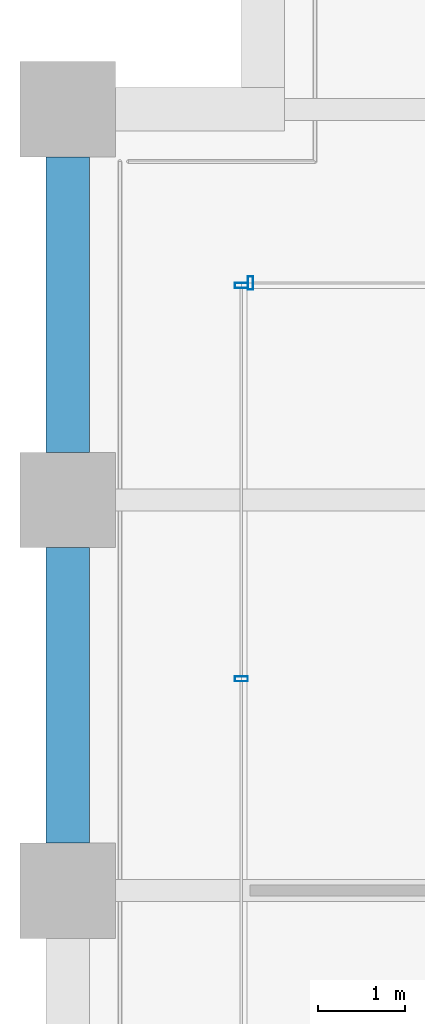
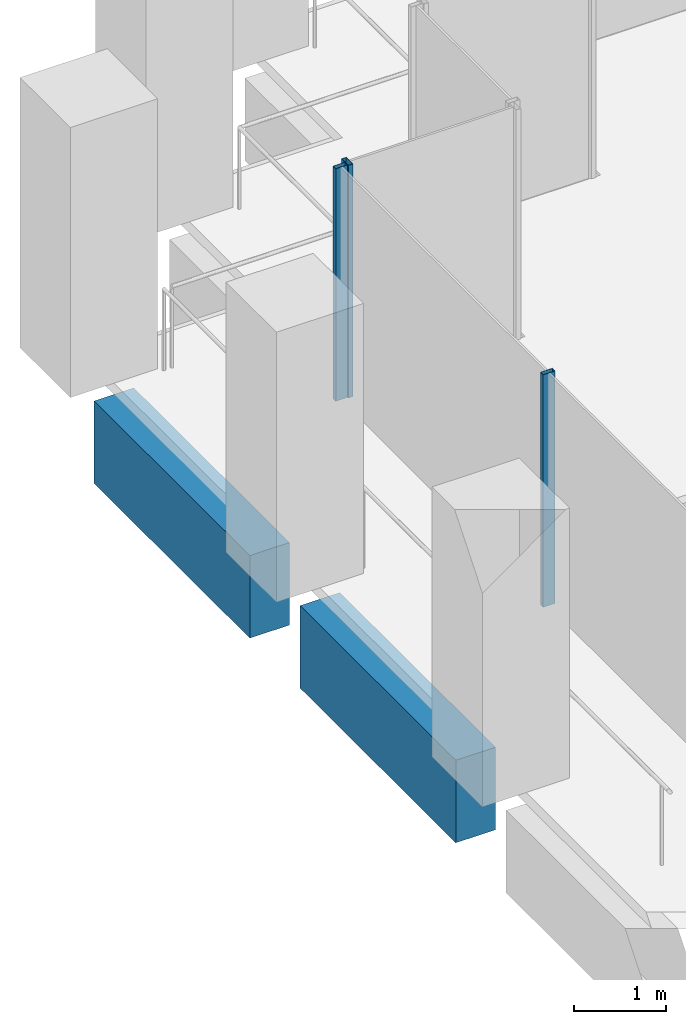
# One storey, part 23 of 56: 3 members, 2 beams, 2 elements without a shape of their own.
"""IFC4 building model written with IfcOpenShell, lengths in metres."""

from ifc_helpers import new_model, si_unit, direction, frame, origin, origin_2d, place, context, subcontext, project, spatial, rectangle, hollow_rectangle, extrude, material, material_profile, profile_set, type_object, element, aggregate, save


model = new_model("IFC4")

# Units and contexts
model_context = context("Model", 3, precision=1e-05, world=origin(), true_north=direction((0.0, 1.0)))
body_context = subcontext(model_context, "Body", "Model", "MODEL_VIEW")
ifc_project = project(units=[si_unit("LENGTHUNIT", "METRE"), si_unit("AREAUNIT", "SQUARE_METRE"), si_unit("VOLUMEUNIT", "CUBIC_METRE"), si_unit("PLANEANGLEUNIT", "RADIAN"), si_unit("MASSUNIT", "GRAM", prefix="KILO")], contexts=[model_context])

# Site, building, storey
site_placement = place(None, origin())
site = spatial("IfcSite", under=ifc_project, at=site_placement, CompositionType="ELEMENT")
building_placement = place(site_placement, origin())
building = spatial("IfcBuilding", under=site, at=building_placement, Name="Altepetl Exchange Towers", CompositionType="ELEMENT")
storey_placement = place(building_placement, frame((0.0, 0.0, 54.60009765625)))
storey = spatial("IfcBuildingStorey", under=building, at=storey_placement, Name="L12", CompositionType="ELEMENT", Elevation=54.60009765625)

# Curtain wall, member
ifc_material_1 = material(Name="Aluminium 6063-T6 glazing", Category="aluminium")
curtain_wall_type = type_object("IfcCurtainWallType", Name="Loggia glazing system", PredefinedType="NOTDEFINED", material=ifc_material_1)
curtain_wall_1_placement = place(storey_placement, origin())
curtain_wall_1 = element("IfcCurtainWall", 1, at=curtain_wall_1_placement, inside=storey, type_object=curtain_wall_type, Name="CW1 run", PredefinedType="NOTDEFINED")
ifc_material_2 = material(Name="Aluminium 6063-T6", Category="aluminium")
ifc_material_profile_1 = material_profile(ifc_material_2, hollow_rectangle(XDim=0.06005859375, YDim=0.14990234375, WallThickness=0.0029296875, at=origin_2d()), Name="Mullion 60x150 aluminium")
ifc_profile_set_1 = profile_set([ifc_material_profile_1], Name="Aluminium 6063-T6")
member_type = type_object("IfcMemberType", Name="Mullion 60x150 aluminium", PredefinedType="MULLION", material=ifc_profile_set_1)
member_1_placement = place(storey_placement, frame((29.10498046875, 65.5, 0.0), z_axis=(0.0, 0.0, 1.0), x_axis=(-1.0, 0.0, 0.0)))
member_1 = element("IfcMember", 2, at=member_1_placement, type_object=member_type, Name="MU1 mullion", PredefinedType="MULLION", context=body_context, shape_type="SweptSolid", body=[
    extrude(hollow_rectangle(XDim=0.06005859375, YDim=0.14990234375, WallThickness=0.0029296875, at=origin_2d()), origin(), (0.0, 0.0, 1.0), 3.099853515625),
])
aggregate(curtain_wall_1, [member_1])

# Curtain wall, members
curtain_wall_2_placement = place(storey_placement, origin())
curtain_wall_2 = element("IfcCurtainWall", 3, at=curtain_wall_2_placement, inside=storey, type_object=curtain_wall_type, Name="CW1 run", PredefinedType="NOTDEFINED")
member_2_placement = place(storey_placement, frame((29.0, 65.469970703125, 0.0), z_axis=(0.0, 0.0, 1.0), x_axis=(0.0, -1.0, 0.0)))
member_2 = element("IfcMember", 4, at=member_2_placement, type_object=member_type, Name="MU1 mullion", PredefinedType="MULLION", context=body_context, shape_type="SweptSolid", body=[
    extrude(hollow_rectangle(XDim=0.06005859375, YDim=0.14990234375, WallThickness=0.0029296875, at=origin_2d()), origin(), (0.0, 0.0, 1.0), 3.099853515625),
])
member_3_placement = place(storey_placement, frame((29.0, 60.939208984375, 0.0), z_axis=(0.0, 0.0, 1.0), x_axis=(0.0, -1.0, 0.0)))
member_3 = element("IfcMember", 5, at=member_3_placement, type_object=member_type, Name="MU1 mullion", PredefinedType="MULLION", context=body_context, shape_type="SweptSolid", body=[
    extrude(hollow_rectangle(XDim=0.06005859375, YDim=0.14990234375, WallThickness=0.0029296875, at=origin_2d()), origin(), (0.0, 0.0, 1.0), 3.099853515625),
])
aggregate(curtain_wall_2, [member_2, member_3])

# Beams
ifc_material_3 = material(Name="Concrete C50/60 precast with tezontle facing", Category="concrete")
ifc_material_profile_2 = material_profile(ifc_material_3, rectangle(XDim=0.5, YDim=1.10009765625, at=origin_2d()), Name="500 x 1100")
ifc_profile_set_2 = profile_set([ifc_material_profile_2], Name="Concrete C50/60 precast with tezontle facing")
beam_type = type_object("IfcBeamType", Name="Spandrel beam 500x1100 tezontle", PredefinedType="SPANDREL", material=ifc_profile_set_2)
for number, where, z_axis, x_axis, name in (
    (6, (27.0, 66.949951171875, -0.7001953125), (0.0, -1.0, 0.0), (1.0, 0.0, 0.0), "sp:A:L12:036"),
    (7, (27.0, 62.449951171875, -0.7001953125), (0.0, -1.0, 0.0), (1.0, 0.0, 0.0), "sp:A:L12:037"),
):
    element("IfcBeam", number, at=place(storey_placement, frame(where, z_axis=z_axis, x_axis=x_axis)), inside=storey, type_object=beam_type, Name=name, PredefinedType="SPANDREL", context=body_context, shape_type="SweptSolid", body=[
        extrude(rectangle(XDim=0.5, YDim=1.10009765625, at=origin_2d()), origin(), (0.0, 0.0, 1.0), 3.39990234375),
    ])

save(model, "model.ifc")
